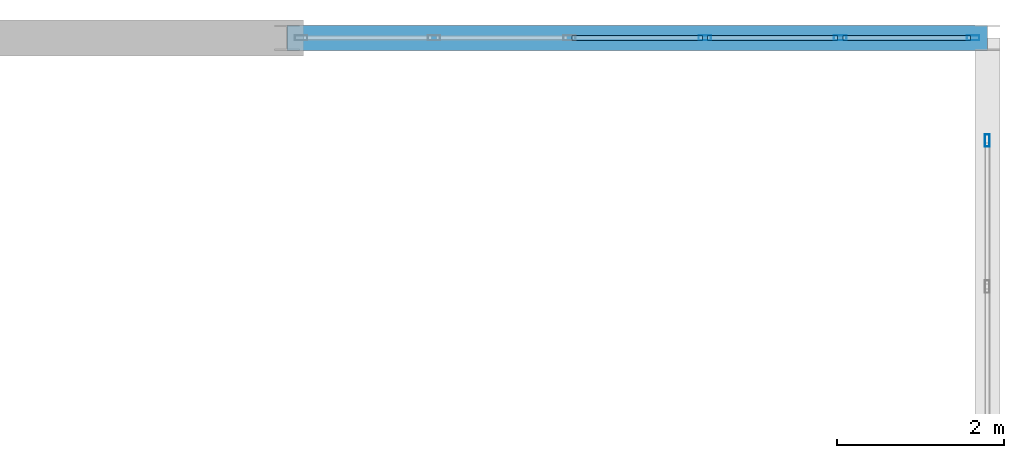
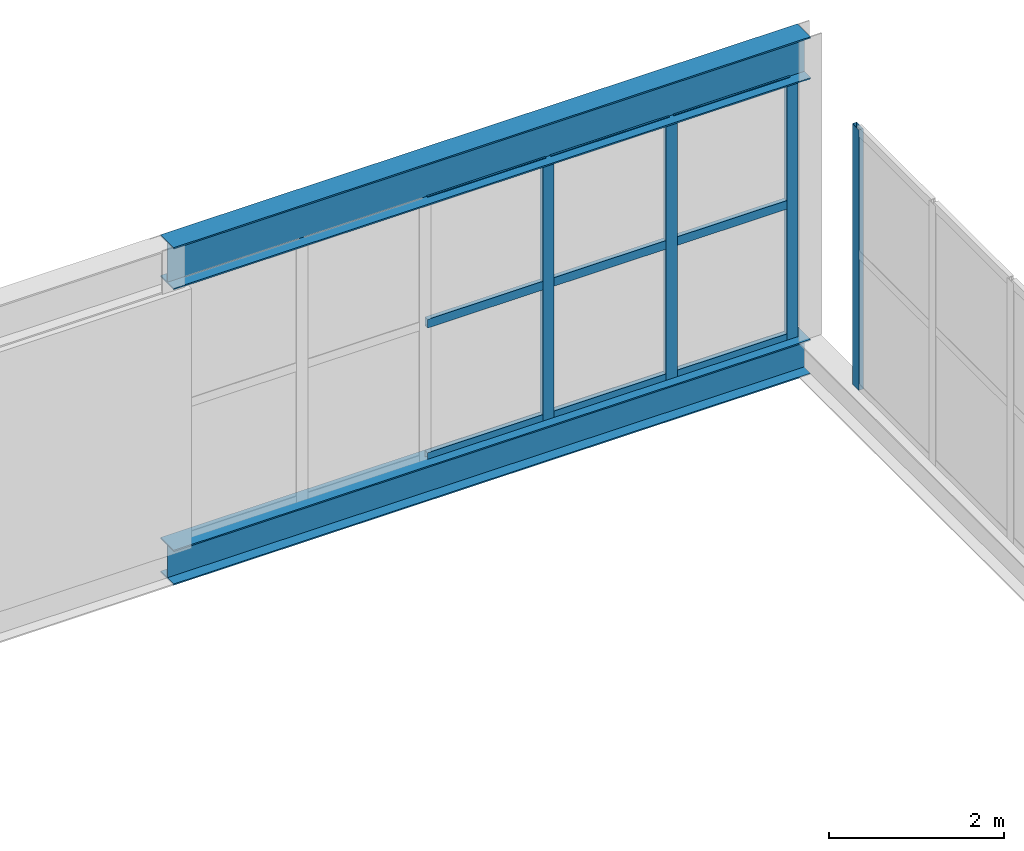
# One storey, part 177 of 218: 13 members, 2 beams, 2 elements without a shape of their own.
"""IFC4 building model written with IfcOpenShell, lengths in metres."""

from ifc_helpers import new_model, si_unit, direction, frame, origin, origin_2d, place, context, subcontext, project, spatial, hollow_rectangle, i_section, extrude, material, material_profile, profile_set, type_object, element, aggregate, save


model = new_model("IFC4")

# Units and contexts
model_context = context("Model", 3, precision=1e-05, world=origin(), true_north=direction((0.0, 1.0)))
body_context = subcontext(model_context, "Body", "Model", "MODEL_VIEW")
ifc_project = project(units=[si_unit("LENGTHUNIT", "METRE"), si_unit("AREAUNIT", "SQUARE_METRE"), si_unit("VOLUMEUNIT", "CUBIC_METRE"), si_unit("PLANEANGLEUNIT", "RADIAN"), si_unit("MASSUNIT", "GRAM", prefix="KILO")], contexts=[model_context])

# Site, building, storey
site_placement = place(None, origin())
site = spatial("IfcSite", under=ifc_project, at=site_placement, CompositionType="ELEMENT")
building_placement = place(site_placement, origin())
building = spatial("IfcBuilding", under=site, at=building_placement, Name="Kazenagashi Tramway Depot", CompositionType="ELEMENT")
storey_placement = place(building_placement, frame((0.0, 0.0, 6.0)))
storey = spatial("IfcBuildingStorey", under=building, at=storey_placement, Name="L02", CompositionType="ELEMENT", Elevation=6.0)

# Curtain wall, member
ifc_material_1 = material(Name="Anodised Aluminium and Low-E Glazing", Category="aluminium")
curtain_wall_type_1 = type_object("IfcCurtainWallType", Name="CW-06", PredefinedType="USERDEFINED", material=ifc_material_1)
curtain_wall_1_placement = place(storey_placement, origin())
curtain_wall_1 = element("IfcCurtainWall", 1, at=curtain_wall_1_placement, inside=storey, type_object=curtain_wall_type_1, Name="Industrial Glazed Screen CW-06 CW-0016", ObjectType="GLAZED SCREEN", PredefinedType="USERDEFINED")
ifc_material_2 = material(Name="Anodised Aluminium", Category="aluminium")
ifc_material_profile_1 = material_profile(ifc_material_2, hollow_rectangle(XDim=0.06, YDim=0.15, WallThickness=0.004, at=origin_2d()), Name="RHS-150x60x4")
ifc_profile_set_1 = profile_set([ifc_material_profile_1], Name="Anodised Aluminium")
member_type_1 = type_object("IfcMemberType", Name="ML-01", PredefinedType="MULLION", material=ifc_profile_set_1)
member_1_placement = place(storey_placement, frame((196.0, 128.77, -0.02), z_axis=(0.0, 0.0, 1.0), x_axis=(-1.0, 0.0, 0.0)))
member_1 = element("IfcMember", 2, at=member_1_placement, type_object=member_type_1, Name="CW-06 mullion 4", PredefinedType="MULLION", context=body_context, shape_type="SweptSolid", body=[
    extrude(hollow_rectangle(XDim=0.06, YDim=0.15, WallThickness=0.004, at=origin_2d()), origin(), (0.0, 0.0, 1.0), 3.632),
])
aggregate(curtain_wall_1, [member_1])

# Curtain wall, members
curtain_wall_type_2 = type_object("IfcCurtainWallType", Name="CW-15", PredefinedType="USERDEFINED", material=ifc_material_1)
curtain_wall_2_placement = place(storey_placement, origin())
curtain_wall_2 = element("IfcCurtainWall", 3, at=curtain_wall_2_placement, inside=storey, type_object=curtain_wall_type_2, Name="Industrial Glazed Screen CW-15 CW-0094", ObjectType="GLAZED SCREEN", PredefinedType="USERDEFINED")
member_2_placement = place(storey_placement, frame((192.612, 130.0, -0.02), z_axis=(0.0, 0.0, 1.0), x_axis=(0.0, 1.0, 0.0)))
member_2 = element("IfcMember", 4, at=member_2_placement, type_object=member_type_1, Name="CW-15 mullion 4", PredefinedType="MULLION", context=body_context, shape_type="SweptSolid", body=[
    extrude(hollow_rectangle(XDim=0.06, YDim=0.15, WallThickness=0.004, at=origin_2d()), origin(), (0.0, 0.0, 1.0), 3.632),
])
member_3_placement = place(storey_placement, frame((194.236, 130.0, -0.02), z_axis=(0.0, 0.0, 1.0), x_axis=(0.0, 1.0, 0.0)))
member_3 = element("IfcMember", 5, at=member_3_placement, type_object=member_type_1, Name="CW-15 mullion 5", PredefinedType="MULLION", context=body_context, shape_type="SweptSolid", body=[
    extrude(hollow_rectangle(XDim=0.06, YDim=0.15, WallThickness=0.004, at=origin_2d()), origin(), (0.0, 0.0, 1.0), 3.632),
])
member_4_placement = place(storey_placement, frame((195.83, 130.0, -0.02), z_axis=(0.0, 0.0, 1.0), x_axis=(0.0, 1.0, 0.0)))
member_4 = element("IfcMember", 6, at=member_4_placement, type_object=member_type_1, Name="CW-15 mullion 6", PredefinedType="MULLION", context=body_context, shape_type="SweptSolid", body=[
    extrude(hollow_rectangle(XDim=0.06, YDim=0.15, WallThickness=0.004, at=origin_2d()), origin(), (0.0, 0.0, 1.0), 3.632),
])

# Beams
ifc_material_3 = material(Name="Steel SN490B", Category="steel")
ifc_material_profile_2 = material_profile(ifc_material_3, i_section(OverallWidth=0.3, OverallDepth=0.588, WebThickness=0.012, FlangeThickness=0.02, at=origin_2d()), Name="H-588x300x12x20")
ifc_profile_set_2 = profile_set([ifc_material_profile_2], Name="Steel SN490B")
beam_type_1 = type_object("IfcBeamType", Name="SP-01", PredefinedType="SPANDREL", material=ifc_profile_set_2)
beam_1_placement = place(storey_placement, frame((187.6, 130.0, 3.906), z_axis=(1.0, 0.0, 0.0), x_axis=(0.0, 1.0, 0.0)))
element("IfcBeam", 7, at=beam_1_placement, inside=storey, type_object=beam_type_1, Name="Beam SP-01 BM-1897", PredefinedType="SPANDREL", context=body_context, shape_type="SweptSolid", body=[
    extrude(i_section(OverallWidth=0.3, OverallDepth=0.588, WebThickness=0.012, FlangeThickness=0.02, at=origin_2d()), origin(), (0.0, 0.0, 1.0), 8.4),
])
ifc_material_profile_3 = material_profile(ifc_material_3, i_section(OverallWidth=0.3, OverallDepth=0.488, WebThickness=0.011, FlangeThickness=0.018, at=origin_2d()), Name="H-488x300x11x18")
ifc_profile_set_3 = profile_set([ifc_material_profile_3], Name="Steel SN490B")
beam_type_2 = type_object("IfcBeamType", Name="SP-02", PredefinedType="SPANDREL", material=ifc_profile_set_3)
beam_2_placement = place(storey_placement, frame((187.6, 130.0, -0.264), z_axis=(1.0, 0.0, 0.0), x_axis=(0.0, 1.0, 0.0)))
element("IfcBeam", 8, at=beam_2_placement, inside=storey, type_object=beam_type_2, Name="Beam SP-02 BM-1841", PredefinedType="SPANDREL", context=body_context, shape_type="SweptSolid", body=[
    extrude(i_section(OverallWidth=0.3, OverallDepth=0.488, WebThickness=0.011, FlangeThickness=0.018, at=origin_2d()), origin(), (0.0, 0.0, 1.0), 8.4),
])

# Member
ifc_material_profile_4 = material_profile(ifc_material_2, hollow_rectangle(XDim=0.06, YDim=0.12, WallThickness=0.004, at=origin_2d()), Name="RHS-120x60x4")
ifc_profile_set_4 = profile_set([ifc_material_profile_4], Name="Anodised Aluminium")
member_type_2 = type_object("IfcMemberType", Name="TR-01", PredefinedType="USERDEFINED", material=ifc_profile_set_4)
member_5_placement = place(storey_placement, frame((191.018, 130.0, 0.01), z_axis=(1.0, 0.0, 0.0), x_axis=(0.0, 1.0, 0.0)))
member_5 = element("IfcMember", 9, at=member_5_placement, type_object=member_type_2, Name="CW-15 transom 3.1", ObjectType="TRANSOM", PredefinedType="USERDEFINED", context=body_context, shape_type="SweptSolid", body=[
    extrude(hollow_rectangle(XDim=0.06, YDim=0.12, WallThickness=0.004, at=origin_2d()), origin(), (0.0, 0.0, 1.0), 1.564),
])

member_6_placement = place(storey_placement, frame((191.018, 130.0, 1.869), z_axis=(1.0, 0.0, 0.0), x_axis=(0.0, 1.0, 0.0)))
member_6 = element("IfcMember", 10, at=member_6_placement, type_object=member_type_2, Name="CW-15 transom 3.2", ObjectType="TRANSOM", PredefinedType="USERDEFINED", context=body_context, shape_type="SweptSolid", body=[
    extrude(hollow_rectangle(XDim=0.06, YDim=0.12, WallThickness=0.004, at=origin_2d()), origin(), (0.0, 0.0, 1.0), 1.564),
])

member_7_placement = place(storey_placement, frame((191.018, 130.0, 3.582), z_axis=(1.0, 0.0, 0.0), x_axis=(0.0, 1.0, 0.0)))
member_7 = element("IfcMember", 11, at=member_7_placement, type_object=member_type_2, Name="CW-15 transom 3.3", ObjectType="TRANSOM", PredefinedType="USERDEFINED", context=body_context, shape_type="SweptSolid", body=[
    extrude(hollow_rectangle(XDim=0.06, YDim=0.12, WallThickness=0.004, at=origin_2d()), origin(), (0.0, 0.0, 1.0), 1.564),
])

member_8_placement = place(storey_placement, frame((192.642, 130.0, 0.01), z_axis=(1.0, 0.0, 0.0), x_axis=(0.0, 1.0, 0.0)))
member_8 = element("IfcMember", 12, at=member_8_placement, type_object=member_type_2, Name="CW-15 transom 4.1", ObjectType="TRANSOM", PredefinedType="USERDEFINED", context=body_context, shape_type="SweptSolid", body=[
    extrude(hollow_rectangle(XDim=0.06, YDim=0.12, WallThickness=0.004, at=origin_2d()), origin(), (0.0, 0.0, 1.0), 1.564),
])

member_9_placement = place(storey_placement, frame((192.642, 130.0, 1.869), z_axis=(1.0, 0.0, 0.0), x_axis=(0.0, 1.0, 0.0)))
member_9 = element("IfcMember", 13, at=member_9_placement, type_object=member_type_2, Name="CW-15 transom 4.2", ObjectType="TRANSOM", PredefinedType="USERDEFINED", context=body_context, shape_type="SweptSolid", body=[
    extrude(hollow_rectangle(XDim=0.06, YDim=0.12, WallThickness=0.004, at=origin_2d()), origin(), (0.0, 0.0, 1.0), 1.564),
])

member_10_placement = place(storey_placement, frame((192.642, 130.0, 3.582), z_axis=(1.0, 0.0, 0.0), x_axis=(0.0, 1.0, 0.0)))
member_10 = element("IfcMember", 14, at=member_10_placement, type_object=member_type_2, Name="CW-15 transom 4.3", ObjectType="TRANSOM", PredefinedType="USERDEFINED", context=body_context, shape_type="SweptSolid", body=[
    extrude(hollow_rectangle(XDim=0.06, YDim=0.12, WallThickness=0.004, at=origin_2d()), origin(), (0.0, 0.0, 1.0), 1.564),
])

member_11_placement = place(storey_placement, frame((194.266, 130.0, 0.01), z_axis=(1.0, 0.0, 0.0), x_axis=(0.0, 1.0, 0.0)))
member_11 = element("IfcMember", 15, at=member_11_placement, type_object=member_type_2, Name="CW-15 transom 5.1", ObjectType="TRANSOM", PredefinedType="USERDEFINED", context=body_context, shape_type="SweptSolid", body=[
    extrude(hollow_rectangle(XDim=0.06, YDim=0.12, WallThickness=0.004, at=origin_2d()), origin(), (0.0, 0.0, 1.0), 1.534),
])

member_12_placement = place(storey_placement, frame((194.266, 130.0, 1.869), z_axis=(1.0, 0.0, 0.0), x_axis=(0.0, 1.0, 0.0)))
member_12 = element("IfcMember", 16, at=member_12_placement, type_object=member_type_2, Name="CW-15 transom 5.2", ObjectType="TRANSOM", PredefinedType="USERDEFINED", context=body_context, shape_type="SweptSolid", body=[
    extrude(hollow_rectangle(XDim=0.06, YDim=0.12, WallThickness=0.004, at=origin_2d()), origin(), (0.0, 0.0, 1.0), 1.534),
])

member_13_placement = place(storey_placement, frame((194.266, 130.0, 3.582), z_axis=(1.0, 0.0, 0.0), x_axis=(0.0, 1.0, 0.0)))
member_13 = element("IfcMember", 17, at=member_13_placement, type_object=member_type_2, Name="CW-15 transom 5.3", ObjectType="TRANSOM", PredefinedType="USERDEFINED", context=body_context, shape_type="SweptSolid", body=[
    extrude(hollow_rectangle(XDim=0.06, YDim=0.12, WallThickness=0.004, at=origin_2d()), origin(), (0.0, 0.0, 1.0), 1.534),
])

aggregate(curtain_wall_2, [member_2, member_3, member_4, member_5, member_6, member_7, member_8, member_9, member_10, member_11, member_12, member_13])

save(model, "model.ifc")
